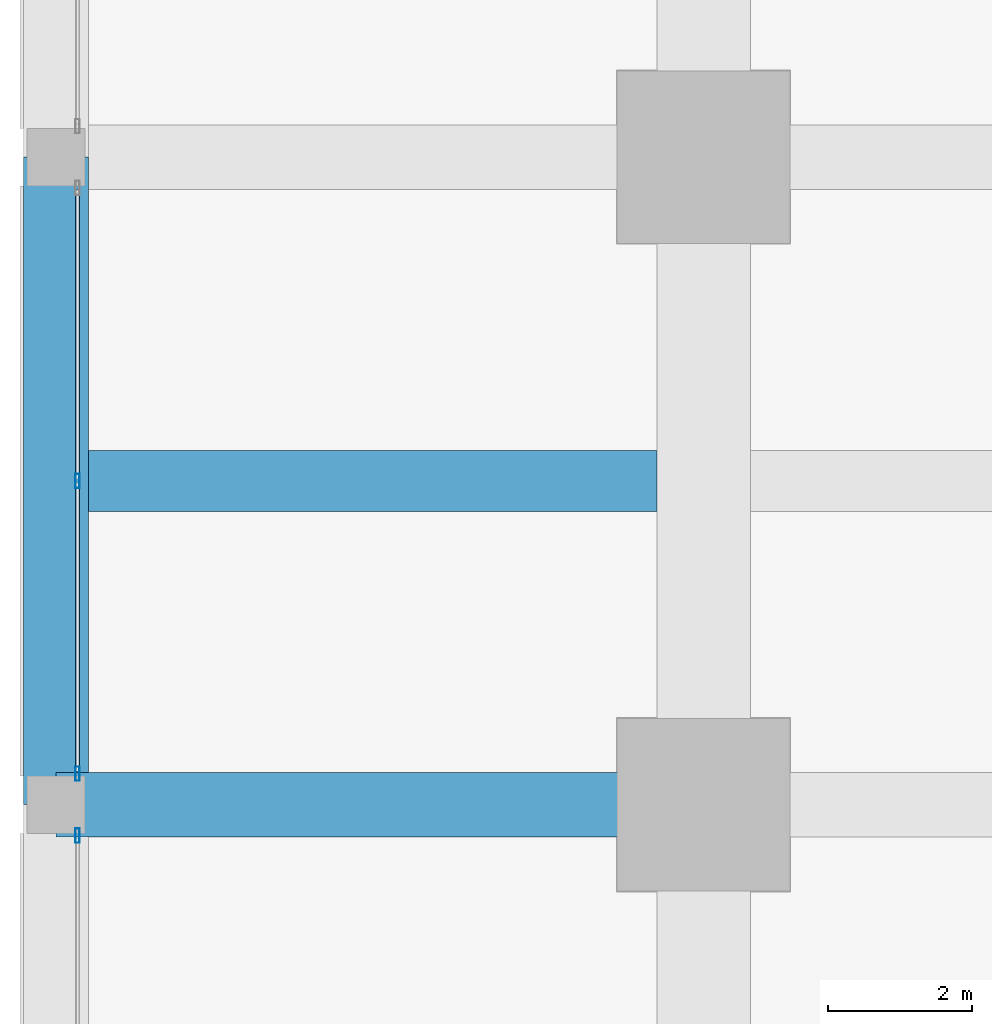
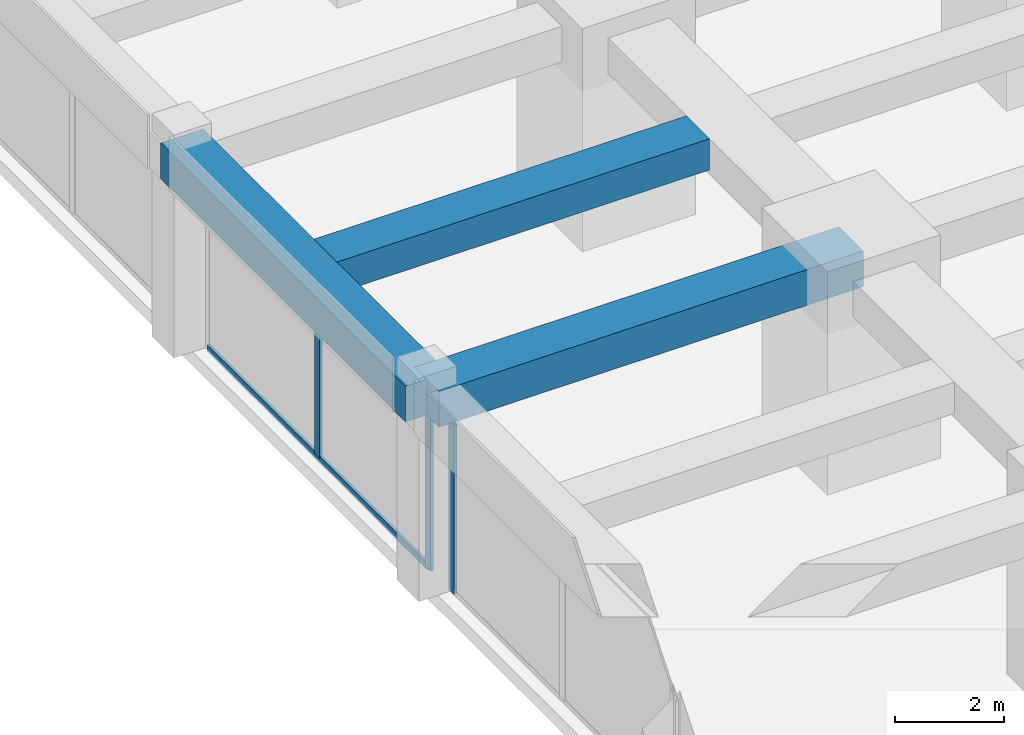
# One storey, part 9 of 46: 4 members, 3 beams, 2 elements without a shape of their own.
"""IFC4 building model written with IfcOpenShell, lengths in metres."""

from ifc_helpers import new_model, si_unit, direction, frame, origin, origin_2d, place, context, subcontext, project, spatial, rectangle, hollow_rectangle, extrude, material, material_profile, profile_set, type_object, element, aggregate, save


model = new_model("IFC4")

# Units and contexts
model_context = context("Model", 3, precision=1e-05, world=origin(), true_north=direction((0.0, 1.0)))
body_context = subcontext(model_context, "Body", "Model", "MODEL_VIEW")
ifc_project = project(units=[si_unit("LENGTHUNIT", "METRE"), si_unit("AREAUNIT", "SQUARE_METRE"), si_unit("VOLUMEUNIT", "CUBIC_METRE"), si_unit("PLANEANGLEUNIT", "RADIAN"), si_unit("MASSUNIT", "GRAM", prefix="KILO")], contexts=[model_context])

# Site, building, storey
site_placement = place(None, origin())
site = spatial("IfcSite", under=ifc_project, at=site_placement, CompositionType="ELEMENT")
building_placement = place(site_placement, origin())
building = spatial("IfcBuilding", under=site, at=building_placement, Name="Zorevar Civic Tower", CompositionType="ELEMENT")
storey_placement = place(building_placement, frame((0.0, 0.0, 10.800048828125)))
storey = spatial("IfcBuildingStorey", under=building, at=storey_placement, Name="L02", CompositionType="ELEMENT", Elevation=10.800048828125)

# Beams
ifc_material_1 = material(Name="Concrete C50/60", Category="concrete")
ifc_material_profile_1 = material_profile(ifc_material_1, rectangle(XDim=0.85009765625, YDim=0.699951171875, at=origin_2d()), Name="RC 850x700")
ifc_profile_set_1 = profile_set([ifc_material_profile_1], Name="Concrete C50/60")
beam_type_1 = type_object("IfcBeamType", Name="Beam RC 850x700", PredefinedType="BEAM", material=ifc_profile_set_1)
beam_1_placement = place(storey_placement, frame((-8.550048828125, 22.5, 4.25), z_axis=(1.0, 0.0, 0.0), x_axis=(0.0, 1.0, 0.0)))
element("IfcBeam", 1, at=beam_1_placement, inside=storey, type_object=beam_type_1, Name="Secondary beam L03", PredefinedType="BEAM", context=body_context, shape_type="SweptSolid", body=[
    extrude(rectangle(XDim=0.85009765625, YDim=0.699951171875, at=origin_2d()), origin(), (0.0, 0.0, 1.0), 7.900146484375),
])
ifc_material_2 = material(Name="Concrete C50/60", Category="concrete")
ifc_material_profile_2 = material_profile(ifc_material_2, rectangle(XDim=0.89990234375, YDim=0.800048828125, at=origin_2d()), Name="RC 900x800")
ifc_profile_set_2 = profile_set([ifc_material_profile_2], Name="Concrete C50/60")
beam_type_2 = type_object("IfcBeamType", Name="Beam RC 900x800", PredefinedType="BEAM", material=ifc_profile_set_2)
beam_2_placement = place(storey_placement, frame((-9.0, 18.0, 4.199951171875), z_axis=(1.0, 0.0, 0.0), x_axis=(0.0, 1.0, 0.0)))
element("IfcBeam", 2, at=beam_2_placement, inside=storey, type_object=beam_type_2, Name="Girder L03", PredefinedType="BEAM", context=body_context, shape_type="SweptSolid", body=[
    extrude(rectangle(XDim=0.89990234375, YDim=0.800048828125, at=origin_2d()), origin(), (0.0, 0.0, 1.0), 9.0),
])

# Curtain wall, member
ifc_material_3 = material(Name="Dark grey solar-control glass in black aluminium frame", Category="aluminium")
curtain_wall_type = type_object("IfcCurtainWallType", Name="Curtain wall CW1 podium", PredefinedType="NOTDEFINED", material=ifc_material_3)
curtain_wall_1_placement = place(storey_placement, origin())
curtain_wall_1 = element("IfcCurtainWall", 3, at=curtain_wall_1_placement, inside=storey, type_object=curtain_wall_type, Name="CW1 L02", PredefinedType="NOTDEFINED")
ifc_material_4 = material(Name="Aluminium, black anodised", Category="aluminium")
ifc_material_profile_3 = material_profile(ifc_material_4, hollow_rectangle(XDim=0.06005859375, YDim=0.199951171875, WallThickness=0.00390625, at=origin_2d()), Name="AL 200x60x4")
ifc_profile_set_3 = profile_set([ifc_material_profile_3], Name="Aluminium, black anodised")
member_type_1 = type_object("IfcMemberType", Name="CW1 mullion AL 200x60x4", PredefinedType="MULLION", material=ifc_profile_set_3)
member_1_placement = place(storey_placement, frame((-8.699951171875, 17.570068359375, 0.0), z_axis=(0.0, 0.0, 1.0), x_axis=(-1.0, 0.0, 0.0)))
member_1 = element("IfcMember", 4, at=member_1_placement, type_object=member_type_1, Name="CW1 mullion 3", PredefinedType="MULLION", context=body_context, shape_type="SweptSolid", body=[
    extrude(hollow_rectangle(XDim=0.06005859375, YDim=0.199951171875, WallThickness=0.00390625, at=origin_2d()), origin(), (0.0, 0.0, 1.0), 3.800048828125),
])
aggregate(curtain_wall_1, [member_1])

# Curtain wall, members
curtain_wall_2_placement = place(storey_placement, origin())
curtain_wall_2 = element("IfcCurtainWall", 5, at=curtain_wall_2_placement, inside=storey, type_object=curtain_wall_type, Name="CW1 L02", PredefinedType="NOTDEFINED")
member_2_placement = place(storey_placement, frame((-8.699951171875, 18.429931640625, 0.0), z_axis=(0.0, 0.0, 1.0), x_axis=(-1.0, 0.0, 0.0)))
member_2 = element("IfcMember", 6, at=member_2_placement, type_object=member_type_1, Name="CW1 mullion 1", PredefinedType="MULLION", context=body_context, shape_type="SweptSolid", body=[
    extrude(hollow_rectangle(XDim=0.06005859375, YDim=0.199951171875, WallThickness=0.00390625, at=origin_2d()), origin(), (0.0, 0.0, 1.0), 3.800048828125),
])
member_3_placement = place(storey_placement, frame((-8.699951171875, 22.5, 0.06005859375), z_axis=(0.0, 0.0, 1.0), x_axis=(-1.0, 0.0, 0.0)))
member_3 = element("IfcMember", 7, at=member_3_placement, type_object=member_type_1, Name="CW1 mullion 2", PredefinedType="MULLION", context=body_context, shape_type="SweptSolid", body=[
    extrude(hollow_rectangle(XDim=0.06005859375, YDim=0.199951171875, WallThickness=0.00390625, at=origin_2d()), origin(), (0.0, 0.0, 1.0), 3.739990234375),
])
ifc_material_5 = material(Name="Aluminium, black anodised", Category="aluminium")
ifc_material_profile_4 = material_profile(ifc_material_5, hollow_rectangle(XDim=0.06005859375, YDim=0.14990234375, WallThickness=0.00390625, at=origin_2d()), Name="AL 150x60x4")
ifc_profile_set_4 = profile_set([ifc_material_profile_4], Name="Aluminium, black anodised")
member_type_2 = type_object("IfcMemberType", Name="CW1 transom AL 150x60x4", PredefinedType="USERDEFINED", material=ifc_profile_set_4)
member_4_placement = place(storey_placement, frame((-8.699951171875, 18.4599609375, 0.030029296875), z_axis=(0.0, 1.0, 0.0), x_axis=(-1.0, 0.0, 0.0)))
member_4 = element("IfcMember", 8, at=member_4_placement, type_object=member_type_2, Name="CW1 sill transom", ObjectType="TRANSOM", PredefinedType="USERDEFINED", context=body_context, shape_type="SweptSolid", body=[
    extrude(hollow_rectangle(XDim=0.06005859375, YDim=0.14990234375, WallThickness=0.00390625, at=origin_2d()), origin(), (0.0, 0.0, 1.0), 8.080078125),
])
aggregate(curtain_wall_2, [member_2, member_3, member_4])

# Beam
ifc_material_6 = material(Name="Concrete C50/60", Category="concrete")
ifc_material_profile_5 = material_profile(ifc_material_6, rectangle(XDim=0.89990234375, YDim=0.800048828125, at=origin_2d()), Name="RC 900x800")
ifc_profile_set_5 = profile_set([ifc_material_profile_5], Name="Concrete C50/60")
beam_type_3 = type_object("IfcBeamType", Name="Edge beam RC 900x800", PredefinedType="SPANDREL", material=ifc_profile_set_5)
beam_3_placement = place(storey_placement, frame((-9.0, 18.0, 4.199951171875), z_axis=(0.0, 1.0, 0.0), x_axis=(-1.0, 0.0, 0.0)))
element("IfcBeam", 9, at=beam_3_placement, inside=storey, type_object=beam_type_3, Name="Edge beam L03", PredefinedType="SPANDREL", context=body_context, shape_type="SweptSolid", body=[
    extrude(rectangle(XDim=0.89990234375, YDim=0.800048828125, at=origin_2d()), origin(), (0.0, 0.0, 1.0), 9.0),
])

save(model, "model.ifc")
